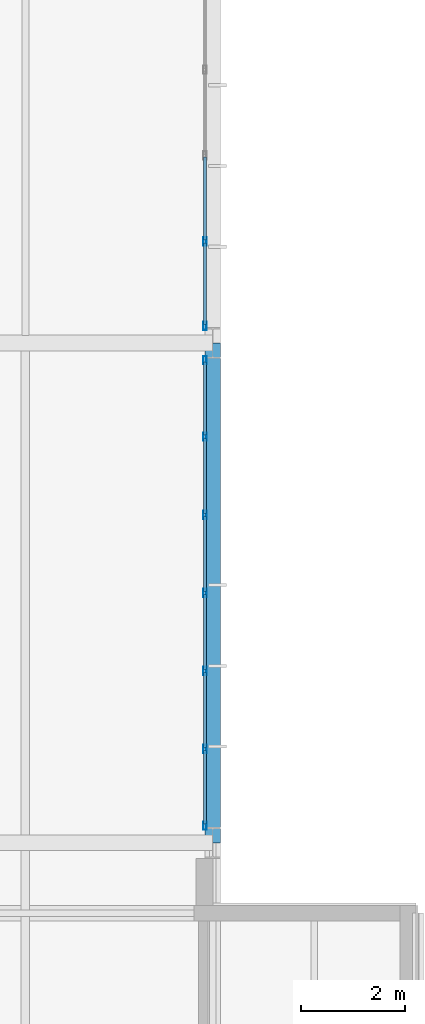
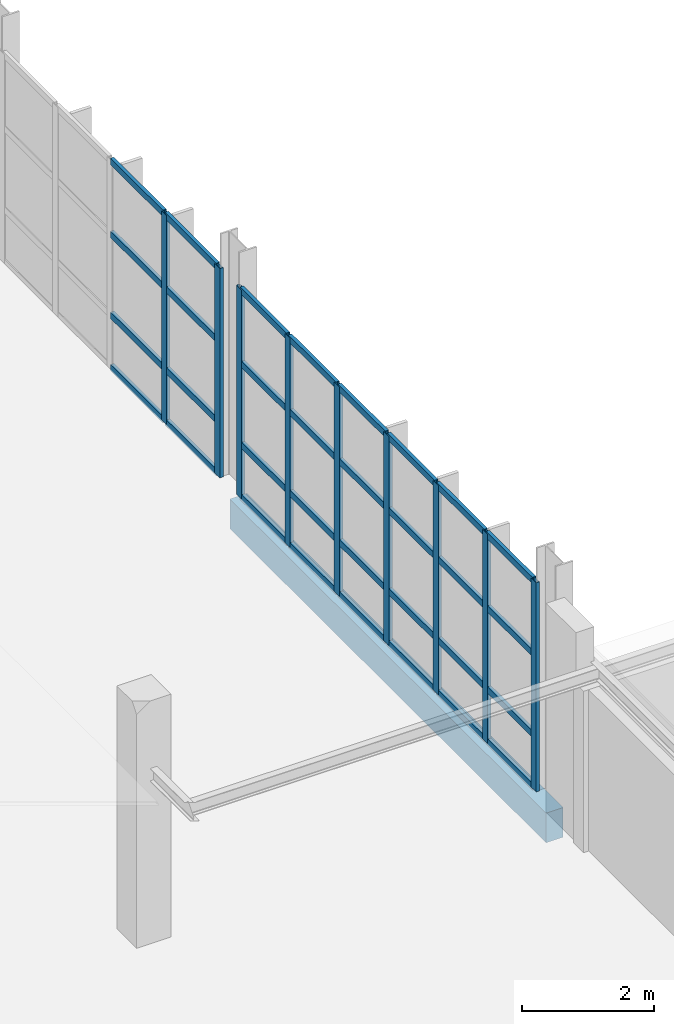
# One storey, part 85 of 130: 41 members, 1 beam, 2 elements without a shape of their own.
"""IFC4 building model written with IfcOpenShell, lengths in metres."""

from ifc_helpers import new_model, si_unit, direction, frame, origin, origin_2d, place, context, subcontext, project, spatial, rectangle, hollow_rectangle, extrude, material, material_profile, profile_set, type_object, element, aggregate, save


model = new_model("IFC4")

# Units and contexts
model_context = context("Model", 3, precision=1e-05, world=origin(), true_north=direction((0.0, 1.0)))
body_context = subcontext(model_context, "Body", "Model", "MODEL_VIEW")
ifc_project = project(units=[si_unit("LENGTHUNIT", "METRE"), si_unit("AREAUNIT", "SQUARE_METRE"), si_unit("VOLUMEUNIT", "CUBIC_METRE"), si_unit("PLANEANGLEUNIT", "RADIAN"), si_unit("MASSUNIT", "GRAM", prefix="KILO")], contexts=[model_context])

# Site, building, storey
site_placement = place(None, origin())
site = spatial("IfcSite", under=ifc_project, at=site_placement, CompositionType="ELEMENT")
building_placement = place(site_placement, origin())
building = spatial("IfcBuilding", under=site, at=building_placement, Name="Veltarok Museum of Natural Sciences", CompositionType="ELEMENT")
storey_placement = place(building_placement, frame((0.0, 0.0, 12.89990234375)))
storey = spatial("IfcBuildingStorey", under=building, at=storey_placement, Name="L02", CompositionType="ELEMENT", Elevation=12.89990234375)

# Curtain wall, members
ifc_material_1 = material(Name="Low-iron triple insulated glass", Category="glass")
curtain_wall_type_1 = type_object("IfcCurtainWallType", Name="Curtain Wall System CW-V5E-L02-B-900x388 (V5 East Lab L02 B-C 900x388cm)", PredefinedType="NOTDEFINED", material=ifc_material_1)
curtain_wall_1_placement = place(storey_placement, origin())
curtain_wall_1 = element("IfcCurtainWall", 1, at=curtain_wall_1_placement, inside=storey, type_object=curtain_wall_type_1, Name="Curtain Wall CW-V5E-L02-B-900x388 CW-0109", PredefinedType="NOTDEFINED")
ifc_material_2 = material(Name="Thermally broken anodised aluminium", Category="aluminium")
ifc_material_profile_1 = material_profile(ifc_material_2, hollow_rectangle(XDim=0.06005859375, YDim=0.1201171875, WallThickness=0.0048828125, at=origin_2d()), Name="CW TRANSOM 60x120x5")
ifc_profile_set_1 = profile_set([ifc_material_profile_1], Name="Thermally broken anodised aluminium")
member_type_1 = type_object("IfcMemberType", Name="Curtain Wall Horizontal Transom 60x120x5", PredefinedType="USERDEFINED", material=ifc_profile_set_1)
member_1_placement = place(storey_placement, frame((164.64990234375, 9.9599609375, 0.030029296875), z_axis=(0.0, 1.0, 0.0), x_axis=(-1.0, 0.0, 0.0)))
member_1 = element("IfcMember", 2, at=member_1_placement, type_object=member_type_1, Name="CW-V5E-L02-B-900x388 transom 1.1", ObjectType="TRANSOM", PredefinedType="USERDEFINED", context=body_context, shape_type="SweptSolid", body=[
    extrude(hollow_rectangle(XDim=0.06005859375, YDim=0.1201171875, WallThickness=0.0048828125, at=origin_2d()), origin(), (0.0, 0.0, 1.0), 1.41015625),
])
member_2_placement = place(storey_placement, frame((164.64990234375, 9.9599609375, 1.0), z_axis=(0.0, 1.0, 0.0), x_axis=(-1.0, 0.0, 0.0)))
member_2 = element("IfcMember", 3, at=member_2_placement, type_object=member_type_1, Name="CW-V5E-L02-B-900x388 transom 1.2", ObjectType="TRANSOM", PredefinedType="USERDEFINED", context=body_context, shape_type="SweptSolid", body=[
    extrude(hollow_rectangle(XDim=0.06005859375, YDim=0.1201171875, WallThickness=0.0048828125, at=origin_2d()), origin(), (0.0, 0.0, 1.0), 1.41015625),
])
member_3_placement = place(storey_placement, frame((164.64990234375, 9.9599609375, 2.5), z_axis=(0.0, 1.0, 0.0), x_axis=(-1.0, 0.0, 0.0)))
member_3 = element("IfcMember", 4, at=member_3_placement, type_object=member_type_1, Name="CW-V5E-L02-B-900x388 transom 1.3", ObjectType="TRANSOM", PredefinedType="USERDEFINED", context=body_context, shape_type="SweptSolid", body=[
    extrude(hollow_rectangle(XDim=0.06005859375, YDim=0.1201171875, WallThickness=0.0048828125, at=origin_2d()), origin(), (0.0, 0.0, 1.0), 1.41015625),
])
member_4_placement = place(storey_placement, frame((164.64990234375, 9.9599609375, 3.85009765625), z_axis=(0.0, 1.0, 0.0), x_axis=(-1.0, 0.0, 0.0)))
member_4 = element("IfcMember", 5, at=member_4_placement, type_object=member_type_1, Name="CW-V5E-L02-B-900x388 transom 1.4", ObjectType="TRANSOM", PredefinedType="USERDEFINED", context=body_context, shape_type="SweptSolid", body=[
    extrude(hollow_rectangle(XDim=0.06005859375, YDim=0.1201171875, WallThickness=0.0048828125, at=origin_2d()), origin(), (0.0, 0.0, 1.0), 1.41015625),
])
member_5_placement = place(storey_placement, frame((164.64990234375, 11.429931640625, 0.030029296875), z_axis=(0.0, 1.0, 0.0), x_axis=(-1.0, 0.0, 0.0)))
member_5 = element("IfcMember", 6, at=member_5_placement, type_object=member_type_1, Name="CW-V5E-L02-B-900x388 transom 2.1", ObjectType="TRANSOM", PredefinedType="USERDEFINED", context=body_context, shape_type="SweptSolid", body=[
    extrude(hollow_rectangle(XDim=0.06005859375, YDim=0.1201171875, WallThickness=0.0048828125, at=origin_2d()), origin(), (0.0, 0.0, 1.0), 1.440185546875),
])
member_6_placement = place(storey_placement, frame((164.64990234375, 11.429931640625, 1.0), z_axis=(0.0, 1.0, 0.0), x_axis=(-1.0, 0.0, 0.0)))
member_6 = element("IfcMember", 7, at=member_6_placement, type_object=member_type_1, Name="CW-V5E-L02-B-900x388 transom 2.2", ObjectType="TRANSOM", PredefinedType="USERDEFINED", context=body_context, shape_type="SweptSolid", body=[
    extrude(hollow_rectangle(XDim=0.06005859375, YDim=0.1201171875, WallThickness=0.0048828125, at=origin_2d()), origin(), (0.0, 0.0, 1.0), 1.440185546875),
])
member_7_placement = place(storey_placement, frame((164.64990234375, 11.429931640625, 2.5), z_axis=(0.0, 1.0, 0.0), x_axis=(-1.0, 0.0, 0.0)))
member_7 = element("IfcMember", 8, at=member_7_placement, type_object=member_type_1, Name="CW-V5E-L02-B-900x388 transom 2.3", ObjectType="TRANSOM", PredefinedType="USERDEFINED", context=body_context, shape_type="SweptSolid", body=[
    extrude(hollow_rectangle(XDim=0.06005859375, YDim=0.1201171875, WallThickness=0.0048828125, at=origin_2d()), origin(), (0.0, 0.0, 1.0), 1.440185546875),
])
member_8_placement = place(storey_placement, frame((164.64990234375, 11.429931640625, 3.85009765625), z_axis=(0.0, 1.0, 0.0), x_axis=(-1.0, 0.0, 0.0)))
member_8 = element("IfcMember", 9, at=member_8_placement, type_object=member_type_1, Name="CW-V5E-L02-B-900x388 transom 2.4", ObjectType="TRANSOM", PredefinedType="USERDEFINED", context=body_context, shape_type="SweptSolid", body=[
    extrude(hollow_rectangle(XDim=0.06005859375, YDim=0.1201171875, WallThickness=0.0048828125, at=origin_2d()), origin(), (0.0, 0.0, 1.0), 1.440185546875),
])
member_9_placement = place(storey_placement, frame((164.64990234375, 12.929931640625, 0.030029296875), z_axis=(0.0, 1.0, 0.0), x_axis=(-1.0, 0.0, 0.0)))
member_9 = element("IfcMember", 10, at=member_9_placement, type_object=member_type_1, Name="CW-V5E-L02-B-900x388 transom 3.1", ObjectType="TRANSOM", PredefinedType="USERDEFINED", context=body_context, shape_type="SweptSolid", body=[
    extrude(hollow_rectangle(XDim=0.06005859375, YDim=0.1201171875, WallThickness=0.0048828125, at=origin_2d()), origin(), (0.0, 0.0, 1.0), 1.440185546875),
])
member_10_placement = place(storey_placement, frame((164.64990234375, 12.929931640625, 1.0), z_axis=(0.0, 1.0, 0.0), x_axis=(-1.0, 0.0, 0.0)))
member_10 = element("IfcMember", 11, at=member_10_placement, type_object=member_type_1, Name="CW-V5E-L02-B-900x388 transom 3.2", ObjectType="TRANSOM", PredefinedType="USERDEFINED", context=body_context, shape_type="SweptSolid", body=[
    extrude(hollow_rectangle(XDim=0.06005859375, YDim=0.1201171875, WallThickness=0.0048828125, at=origin_2d()), origin(), (0.0, 0.0, 1.0), 1.440185546875),
])
member_11_placement = place(storey_placement, frame((164.64990234375, 12.929931640625, 2.5), z_axis=(0.0, 1.0, 0.0), x_axis=(-1.0, 0.0, 0.0)))
member_11 = element("IfcMember", 12, at=member_11_placement, type_object=member_type_1, Name="CW-V5E-L02-B-900x388 transom 3.3", ObjectType="TRANSOM", PredefinedType="USERDEFINED", context=body_context, shape_type="SweptSolid", body=[
    extrude(hollow_rectangle(XDim=0.06005859375, YDim=0.1201171875, WallThickness=0.0048828125, at=origin_2d()), origin(), (0.0, 0.0, 1.0), 1.440185546875),
])
member_12_placement = place(storey_placement, frame((164.64990234375, 12.929931640625, 3.85009765625), z_axis=(0.0, 1.0, 0.0), x_axis=(-1.0, 0.0, 0.0)))
member_12 = element("IfcMember", 13, at=member_12_placement, type_object=member_type_1, Name="CW-V5E-L02-B-900x388 transom 3.4", ObjectType="TRANSOM", PredefinedType="USERDEFINED", context=body_context, shape_type="SweptSolid", body=[
    extrude(hollow_rectangle(XDim=0.06005859375, YDim=0.1201171875, WallThickness=0.0048828125, at=origin_2d()), origin(), (0.0, 0.0, 1.0), 1.440185546875),
])
member_13_placement = place(storey_placement, frame((164.64990234375, 14.429931640625, 0.030029296875), z_axis=(0.0, 1.0, 0.0), x_axis=(-1.0, 0.0, 0.0)))
member_13 = element("IfcMember", 14, at=member_13_placement, type_object=member_type_1, Name="CW-V5E-L02-B-900x388 transom 4.1", ObjectType="TRANSOM", PredefinedType="USERDEFINED", context=body_context, shape_type="SweptSolid", body=[
    extrude(hollow_rectangle(XDim=0.06005859375, YDim=0.1201171875, WallThickness=0.0048828125, at=origin_2d()), origin(), (0.0, 0.0, 1.0), 1.440185546875),
])
member_14_placement = place(storey_placement, frame((164.64990234375, 14.429931640625, 1.0), z_axis=(0.0, 1.0, 0.0), x_axis=(-1.0, 0.0, 0.0)))
member_14 = element("IfcMember", 15, at=member_14_placement, type_object=member_type_1, Name="CW-V5E-L02-B-900x388 transom 4.2", ObjectType="TRANSOM", PredefinedType="USERDEFINED", context=body_context, shape_type="SweptSolid", body=[
    extrude(hollow_rectangle(XDim=0.06005859375, YDim=0.1201171875, WallThickness=0.0048828125, at=origin_2d()), origin(), (0.0, 0.0, 1.0), 1.440185546875),
])
member_15_placement = place(storey_placement, frame((164.64990234375, 14.429931640625, 2.5), z_axis=(0.0, 1.0, 0.0), x_axis=(-1.0, 0.0, 0.0)))
member_15 = element("IfcMember", 16, at=member_15_placement, type_object=member_type_1, Name="CW-V5E-L02-B-900x388 transom 4.3", ObjectType="TRANSOM", PredefinedType="USERDEFINED", context=body_context, shape_type="SweptSolid", body=[
    extrude(hollow_rectangle(XDim=0.06005859375, YDim=0.1201171875, WallThickness=0.0048828125, at=origin_2d()), origin(), (0.0, 0.0, 1.0), 1.440185546875),
])
member_16_placement = place(storey_placement, frame((164.64990234375, 14.429931640625, 3.85009765625), z_axis=(0.0, 1.0, 0.0), x_axis=(-1.0, 0.0, 0.0)))
member_16 = element("IfcMember", 17, at=member_16_placement, type_object=member_type_1, Name="CW-V5E-L02-B-900x388 transom 4.4", ObjectType="TRANSOM", PredefinedType="USERDEFINED", context=body_context, shape_type="SweptSolid", body=[
    extrude(hollow_rectangle(XDim=0.06005859375, YDim=0.1201171875, WallThickness=0.0048828125, at=origin_2d()), origin(), (0.0, 0.0, 1.0), 1.440185546875),
])
member_17_placement = place(storey_placement, frame((164.64990234375, 15.929931640625, 0.030029296875), z_axis=(0.0, 1.0, 0.0), x_axis=(-1.0, 0.0, 0.0)))
member_17 = element("IfcMember", 18, at=member_17_placement, type_object=member_type_1, Name="CW-V5E-L02-B-900x388 transom 5.1", ObjectType="TRANSOM", PredefinedType="USERDEFINED", context=body_context, shape_type="SweptSolid", body=[
    extrude(hollow_rectangle(XDim=0.06005859375, YDim=0.1201171875, WallThickness=0.0048828125, at=origin_2d()), origin(), (0.0, 0.0, 1.0), 1.440185546875),
])
member_18_placement = place(storey_placement, frame((164.64990234375, 15.929931640625, 1.0), z_axis=(0.0, 1.0, 0.0), x_axis=(-1.0, 0.0, 0.0)))
member_18 = element("IfcMember", 19, at=member_18_placement, type_object=member_type_1, Name="CW-V5E-L02-B-900x388 transom 5.2", ObjectType="TRANSOM", PredefinedType="USERDEFINED", context=body_context, shape_type="SweptSolid", body=[
    extrude(hollow_rectangle(XDim=0.06005859375, YDim=0.1201171875, WallThickness=0.0048828125, at=origin_2d()), origin(), (0.0, 0.0, 1.0), 1.440185546875),
])
member_19_placement = place(storey_placement, frame((164.64990234375, 15.929931640625, 2.5), z_axis=(0.0, 1.0, 0.0), x_axis=(-1.0, 0.0, 0.0)))
member_19 = element("IfcMember", 20, at=member_19_placement, type_object=member_type_1, Name="CW-V5E-L02-B-900x388 transom 5.3", ObjectType="TRANSOM", PredefinedType="USERDEFINED", context=body_context, shape_type="SweptSolid", body=[
    extrude(hollow_rectangle(XDim=0.06005859375, YDim=0.1201171875, WallThickness=0.0048828125, at=origin_2d()), origin(), (0.0, 0.0, 1.0), 1.440185546875),
])
member_20_placement = place(storey_placement, frame((164.64990234375, 15.929931640625, 3.85009765625), z_axis=(0.0, 1.0, 0.0), x_axis=(-1.0, 0.0, 0.0)))
member_20 = element("IfcMember", 21, at=member_20_placement, type_object=member_type_1, Name="CW-V5E-L02-B-900x388 transom 5.4", ObjectType="TRANSOM", PredefinedType="USERDEFINED", context=body_context, shape_type="SweptSolid", body=[
    extrude(hollow_rectangle(XDim=0.06005859375, YDim=0.1201171875, WallThickness=0.0048828125, at=origin_2d()), origin(), (0.0, 0.0, 1.0), 1.440185546875),
])
member_21_placement = place(storey_placement, frame((164.64990234375, 17.429931640625, 0.030029296875), z_axis=(0.0, 1.0, 0.0), x_axis=(-1.0, 0.0, 0.0)))
member_21 = element("IfcMember", 22, at=member_21_placement, type_object=member_type_1, Name="CW-V5E-L02-B-900x388 transom 6.1", ObjectType="TRANSOM", PredefinedType="USERDEFINED", context=body_context, shape_type="SweptSolid", body=[
    extrude(hollow_rectangle(XDim=0.06005859375, YDim=0.1201171875, WallThickness=0.0048828125, at=origin_2d()), origin(), (0.0, 0.0, 1.0), 1.41015625),
])
member_22_placement = place(storey_placement, frame((164.64990234375, 17.429931640625, 1.0), z_axis=(0.0, 1.0, 0.0), x_axis=(-1.0, 0.0, 0.0)))
member_22 = element("IfcMember", 23, at=member_22_placement, type_object=member_type_1, Name="CW-V5E-L02-B-900x388 transom 6.2", ObjectType="TRANSOM", PredefinedType="USERDEFINED", context=body_context, shape_type="SweptSolid", body=[
    extrude(hollow_rectangle(XDim=0.06005859375, YDim=0.1201171875, WallThickness=0.0048828125, at=origin_2d()), origin(), (0.0, 0.0, 1.0), 1.41015625),
])
member_23_placement = place(storey_placement, frame((164.64990234375, 17.429931640625, 2.5), z_axis=(0.0, 1.0, 0.0), x_axis=(-1.0, 0.0, 0.0)))
member_23 = element("IfcMember", 24, at=member_23_placement, type_object=member_type_1, Name="CW-V5E-L02-B-900x388 transom 6.3", ObjectType="TRANSOM", PredefinedType="USERDEFINED", context=body_context, shape_type="SweptSolid", body=[
    extrude(hollow_rectangle(XDim=0.06005859375, YDim=0.1201171875, WallThickness=0.0048828125, at=origin_2d()), origin(), (0.0, 0.0, 1.0), 1.41015625),
])
member_24_placement = place(storey_placement, frame((164.64990234375, 17.429931640625, 3.85009765625), z_axis=(0.0, 1.0, 0.0), x_axis=(-1.0, 0.0, 0.0)))
member_24 = element("IfcMember", 25, at=member_24_placement, type_object=member_type_1, Name="CW-V5E-L02-B-900x388 transom 6.4", ObjectType="TRANSOM", PredefinedType="USERDEFINED", context=body_context, shape_type="SweptSolid", body=[
    extrude(hollow_rectangle(XDim=0.06005859375, YDim=0.1201171875, WallThickness=0.0048828125, at=origin_2d()), origin(), (0.0, 0.0, 1.0), 1.41015625),
])

curtain_wall_type_2 = type_object("IfcCurtainWallType", Name="Curtain Wall System CW-V5E-L02-C-660x388 (V5 East Lab L02 C-D 660x388cm)", PredefinedType="NOTDEFINED", material=ifc_material_1)
curtain_wall_2_placement = place(storey_placement, origin())
curtain_wall_2 = element("IfcCurtainWall", 26, at=curtain_wall_2_placement, inside=storey, type_object=curtain_wall_type_2, Name="Curtain Wall CW-V5E-L02-C-660x388 CW-0110", PredefinedType="NOTDEFINED")
member_25_placement = place(storey_placement, frame((164.64990234375, 19.56005859375, 0.030029296875), z_axis=(0.0, 1.0, 0.0), x_axis=(-1.0, 0.0, 0.0)))
member_25 = element("IfcMember", 27, at=member_25_placement, type_object=member_type_1, Name="CW-V5E-L02-C-660x388 transom 1.1", ObjectType="TRANSOM", PredefinedType="USERDEFINED", context=body_context, shape_type="SweptSolid", body=[
    extrude(hollow_rectangle(XDim=0.06005859375, YDim=0.1201171875, WallThickness=0.0048828125, at=origin_2d()), origin(), (0.0, 0.0, 1.0), 1.56005859375),
])
member_26_placement = place(storey_placement, frame((164.64990234375, 19.56005859375, 1.0), z_axis=(0.0, 1.0, 0.0), x_axis=(-1.0, 0.0, 0.0)))
member_26 = element("IfcMember", 28, at=member_26_placement, type_object=member_type_1, Name="CW-V5E-L02-C-660x388 transom 1.2", ObjectType="TRANSOM", PredefinedType="USERDEFINED", context=body_context, shape_type="SweptSolid", body=[
    extrude(hollow_rectangle(XDim=0.06005859375, YDim=0.1201171875, WallThickness=0.0048828125, at=origin_2d()), origin(), (0.0, 0.0, 1.0), 1.56005859375),
])
member_27_placement = place(storey_placement, frame((164.64990234375, 19.56005859375, 2.5), z_axis=(0.0, 1.0, 0.0), x_axis=(-1.0, 0.0, 0.0)))
member_27 = element("IfcMember", 29, at=member_27_placement, type_object=member_type_1, Name="CW-V5E-L02-C-660x388 transom 1.3", ObjectType="TRANSOM", PredefinedType="USERDEFINED", context=body_context, shape_type="SweptSolid", body=[
    extrude(hollow_rectangle(XDim=0.06005859375, YDim=0.1201171875, WallThickness=0.0048828125, at=origin_2d()), origin(), (0.0, 0.0, 1.0), 1.56005859375),
])
member_28_placement = place(storey_placement, frame((164.64990234375, 19.56005859375, 3.85009765625), z_axis=(0.0, 1.0, 0.0), x_axis=(-1.0, 0.0, 0.0)))
member_28 = element("IfcMember", 30, at=member_28_placement, type_object=member_type_1, Name="CW-V5E-L02-C-660x388 transom 1.4", ObjectType="TRANSOM", PredefinedType="USERDEFINED", context=body_context, shape_type="SweptSolid", body=[
    extrude(hollow_rectangle(XDim=0.06005859375, YDim=0.1201171875, WallThickness=0.0048828125, at=origin_2d()), origin(), (0.0, 0.0, 1.0), 1.56005859375),
])
member_29_placement = place(storey_placement, frame((164.64990234375, 21.179931640625, 0.030029296875), z_axis=(0.0, 1.0, 0.0), x_axis=(-1.0, 0.0, 0.0)))
member_29 = element("IfcMember", 31, at=member_29_placement, type_object=member_type_1, Name="CW-V5E-L02-C-660x388 transom 2.1", ObjectType="TRANSOM", PredefinedType="USERDEFINED", context=body_context, shape_type="SweptSolid", body=[
    extrude(hollow_rectangle(XDim=0.06005859375, YDim=0.1201171875, WallThickness=0.0048828125, at=origin_2d()), origin(), (0.0, 0.0, 1.0), 1.590087890625),
])
member_30_placement = place(storey_placement, frame((164.64990234375, 21.179931640625, 1.0), z_axis=(0.0, 1.0, 0.0), x_axis=(-1.0, 0.0, 0.0)))
member_30 = element("IfcMember", 32, at=member_30_placement, type_object=member_type_1, Name="CW-V5E-L02-C-660x388 transom 2.2", ObjectType="TRANSOM", PredefinedType="USERDEFINED", context=body_context, shape_type="SweptSolid", body=[
    extrude(hollow_rectangle(XDim=0.06005859375, YDim=0.1201171875, WallThickness=0.0048828125, at=origin_2d()), origin(), (0.0, 0.0, 1.0), 1.590087890625),
])
member_31_placement = place(storey_placement, frame((164.64990234375, 21.179931640625, 2.5), z_axis=(0.0, 1.0, 0.0), x_axis=(-1.0, 0.0, 0.0)))
member_31 = element("IfcMember", 33, at=member_31_placement, type_object=member_type_1, Name="CW-V5E-L02-C-660x388 transom 2.3", ObjectType="TRANSOM", PredefinedType="USERDEFINED", context=body_context, shape_type="SweptSolid", body=[
    extrude(hollow_rectangle(XDim=0.06005859375, YDim=0.1201171875, WallThickness=0.0048828125, at=origin_2d()), origin(), (0.0, 0.0, 1.0), 1.590087890625),
])
member_32_placement = place(storey_placement, frame((164.64990234375, 21.179931640625, 3.85009765625), z_axis=(0.0, 1.0, 0.0), x_axis=(-1.0, 0.0, 0.0)))
member_32 = element("IfcMember", 34, at=member_32_placement, type_object=member_type_1, Name="CW-V5E-L02-C-660x388 transom 2.4", ObjectType="TRANSOM", PredefinedType="USERDEFINED", context=body_context, shape_type="SweptSolid", body=[
    extrude(hollow_rectangle(XDim=0.06005859375, YDim=0.1201171875, WallThickness=0.0048828125, at=origin_2d()), origin(), (0.0, 0.0, 1.0), 1.590087890625),
])

# Member
ifc_material_profile_2 = material_profile(ifc_material_2, hollow_rectangle(XDim=0.06005859375, YDim=0.159912109375, WallThickness=0.0048828125, at=origin_2d()), Name="CW MULLION 60x160x5")
ifc_profile_set_2 = profile_set([ifc_material_profile_2], Name="Thermally broken anodised aluminium")
member_type_2 = type_object("IfcMemberType", Name="Curtain Wall Vertical Mullion 60x160x5", PredefinedType="MULLION", material=ifc_profile_set_2)
member_33_placement = place(storey_placement, frame((164.64990234375, 9.929931640625, 0.0), z_axis=(0.0, 0.0, 1.0), x_axis=(-1.0, 0.0, 0.0)))
member_33 = element("IfcMember", 35, at=member_33_placement, type_object=member_type_2, Name="CW-V5E-L02-B-900x388 mullion 1", PredefinedType="MULLION", context=body_context, shape_type="SweptSolid", body=[
    extrude(hollow_rectangle(XDim=0.06005859375, YDim=0.159912109375, WallThickness=0.0048828125, at=origin_2d()), origin(), (0.0, 0.0, 1.0), 3.880126953125),
])

member_34_placement = place(storey_placement, frame((164.64990234375, 11.39990234375, 0.0), z_axis=(0.0, 0.0, 1.0), x_axis=(-1.0, 0.0, 0.0)))
member_34 = element("IfcMember", 36, at=member_34_placement, type_object=member_type_2, Name="CW-V5E-L02-B-900x388 mullion 2", PredefinedType="MULLION", context=body_context, shape_type="SweptSolid", body=[
    extrude(hollow_rectangle(XDim=0.06005859375, YDim=0.159912109375, WallThickness=0.0048828125, at=origin_2d()), origin(), (0.0, 0.0, 1.0), 3.880126953125),
])

member_35_placement = place(storey_placement, frame((164.64990234375, 12.89990234375, 0.0), z_axis=(0.0, 0.0, 1.0), x_axis=(-1.0, 0.0, 0.0)))
member_35 = element("IfcMember", 37, at=member_35_placement, type_object=member_type_2, Name="CW-V5E-L02-B-900x388 mullion 3", PredefinedType="MULLION", context=body_context, shape_type="SweptSolid", body=[
    extrude(hollow_rectangle(XDim=0.06005859375, YDim=0.159912109375, WallThickness=0.0048828125, at=origin_2d()), origin(), (0.0, 0.0, 1.0), 3.880126953125),
])

member_36_placement = place(storey_placement, frame((164.64990234375, 14.39990234375, 0.0), z_axis=(0.0, 0.0, 1.0), x_axis=(-1.0, 0.0, 0.0)))
member_36 = element("IfcMember", 38, at=member_36_placement, type_object=member_type_2, Name="CW-V5E-L02-B-900x388 mullion 4", PredefinedType="MULLION", context=body_context, shape_type="SweptSolid", body=[
    extrude(hollow_rectangle(XDim=0.06005859375, YDim=0.159912109375, WallThickness=0.0048828125, at=origin_2d()), origin(), (0.0, 0.0, 1.0), 3.880126953125),
])

member_37_placement = place(storey_placement, frame((164.64990234375, 15.89990234375, 0.0), z_axis=(0.0, 0.0, 1.0), x_axis=(-1.0, 0.0, 0.0)))
member_37 = element("IfcMember", 39, at=member_37_placement, type_object=member_type_2, Name="CW-V5E-L02-B-900x388 mullion 5", PredefinedType="MULLION", context=body_context, shape_type="SweptSolid", body=[
    extrude(hollow_rectangle(XDim=0.06005859375, YDim=0.159912109375, WallThickness=0.0048828125, at=origin_2d()), origin(), (0.0, 0.0, 1.0), 3.880126953125),
])

member_38_placement = place(storey_placement, frame((164.64990234375, 17.39990234375, 0.0), z_axis=(0.0, 0.0, 1.0), x_axis=(-1.0, 0.0, 0.0)))
member_38 = element("IfcMember", 40, at=member_38_placement, type_object=member_type_2, Name="CW-V5E-L02-B-900x388 mullion 6", PredefinedType="MULLION", context=body_context, shape_type="SweptSolid", body=[
    extrude(hollow_rectangle(XDim=0.06005859375, YDim=0.159912109375, WallThickness=0.0048828125, at=origin_2d()), origin(), (0.0, 0.0, 1.0), 3.880126953125),
])

member_39_placement = place(storey_placement, frame((164.64990234375, 18.8701171875, 0.0), z_axis=(0.0, 0.0, 1.0), x_axis=(-1.0, 0.0, 0.0)))
member_39 = element("IfcMember", 41, at=member_39_placement, type_object=member_type_2, Name="CW-V5E-L02-B-900x388 mullion 7", PredefinedType="MULLION", context=body_context, shape_type="SweptSolid", body=[
    extrude(hollow_rectangle(XDim=0.06005859375, YDim=0.159912109375, WallThickness=0.0048828125, at=origin_2d()), origin(), (0.0, 0.0, 1.0), 3.880126953125),
])

aggregate(curtain_wall_1, [member_33, member_34, member_35, member_36, member_37, member_38, member_39, member_1, member_2, member_3, member_4, member_5, member_6, member_7, member_8, member_9, member_10, member_11, member_12, member_13, member_14, member_15, member_16, member_17, member_18, member_19, member_20, member_21, member_22, member_23, member_24])

member_40_placement = place(storey_placement, frame((164.64990234375, 19.530029296875, 0.0), z_axis=(0.0, 0.0, 1.0), x_axis=(-1.0, 0.0, 0.0)))
member_40 = element("IfcMember", 42, at=member_40_placement, type_object=member_type_2, Name="CW-V5E-L02-C-660x388 mullion 1", PredefinedType="MULLION", context=body_context, shape_type="SweptSolid", body=[
    extrude(hollow_rectangle(XDim=0.06005859375, YDim=0.159912109375, WallThickness=0.0048828125, at=origin_2d()), origin(), (0.0, 0.0, 1.0), 3.880126953125),
])

member_41_placement = place(storey_placement, frame((164.64990234375, 21.14990234375, 0.0), z_axis=(0.0, 0.0, 1.0), x_axis=(-1.0, 0.0, 0.0)))
member_41 = element("IfcMember", 43, at=member_41_placement, type_object=member_type_2, Name="CW-V5E-L02-C-660x388 mullion 2", PredefinedType="MULLION", context=body_context, shape_type="SweptSolid", body=[
    extrude(hollow_rectangle(XDim=0.06005859375, YDim=0.159912109375, WallThickness=0.0048828125, at=origin_2d()), origin(), (0.0, 0.0, 1.0), 3.880126953125),
])

aggregate(curtain_wall_2, [member_40, member_41, member_25, member_26, member_27, member_28, member_29, member_30, member_31, member_32])

# Beam
ifc_material_3 = material(Name="Precast concrete C40/50", Category="concrete")
ifc_material_profile_3 = material_profile(ifc_material_3, rectangle(XDim=0.300048828125, YDim=0.550048828125, at=origin_2d()), Name="RC 300x550")
ifc_profile_set_3 = profile_set([ifc_material_profile_3], Name="Precast concrete C40/50")
beam_type = type_object("IfcBeamType", Name="East Wing Precast Spandrel RC 300x550", PredefinedType="SPANDREL", material=ifc_profile_set_3)
beam_placement = place(storey_placement, frame((164.800048828125, 9.60009765625, -0.52490234375), z_axis=(0.0, 1.0, 0.0), x_axis=(-1.0, 0.0, 0.0)))
element("IfcBeam", 44, at=beam_placement, inside=storey, type_object=beam_type, Name="Beam BM-SP02 L02 20/B-C", PredefinedType="SPANDREL", context=body_context, shape_type="SweptSolid", body=[
    extrude(rectangle(XDim=0.300048828125, YDim=0.550048828125, at=origin_2d()), origin(), (0.0, 0.0, 1.0), 9.599853515625),
])

save(model, "model.ifc")
